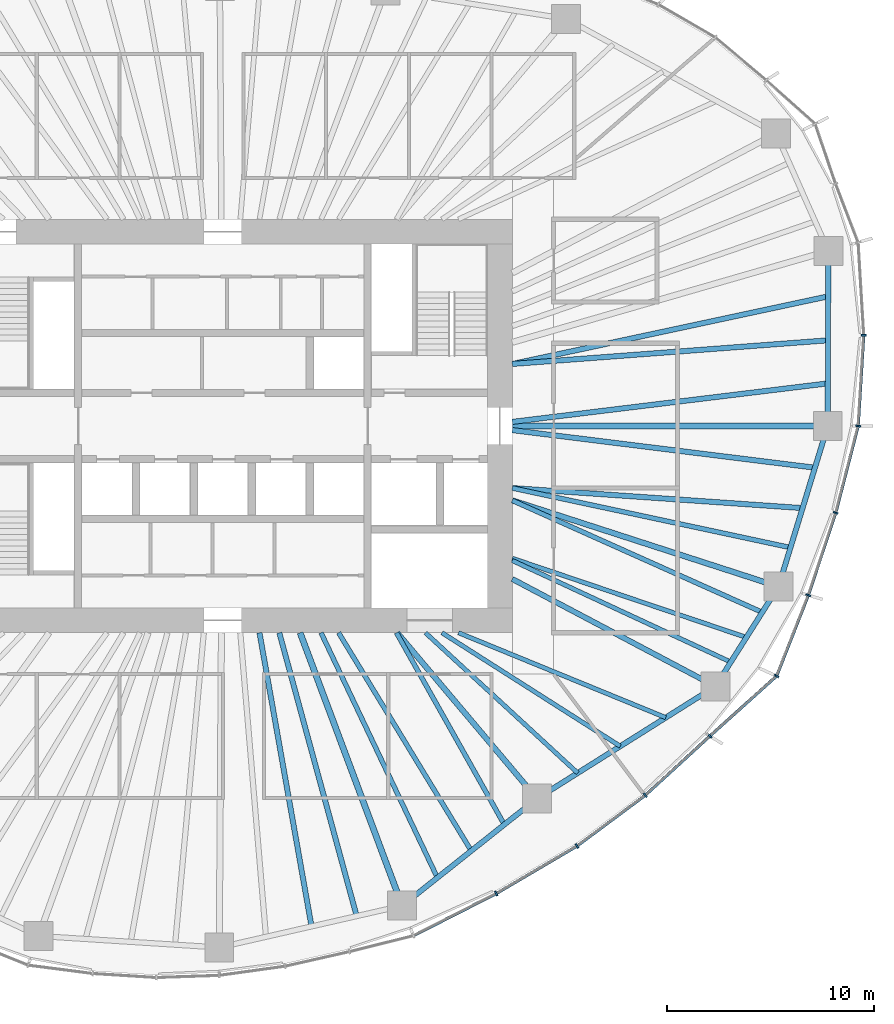
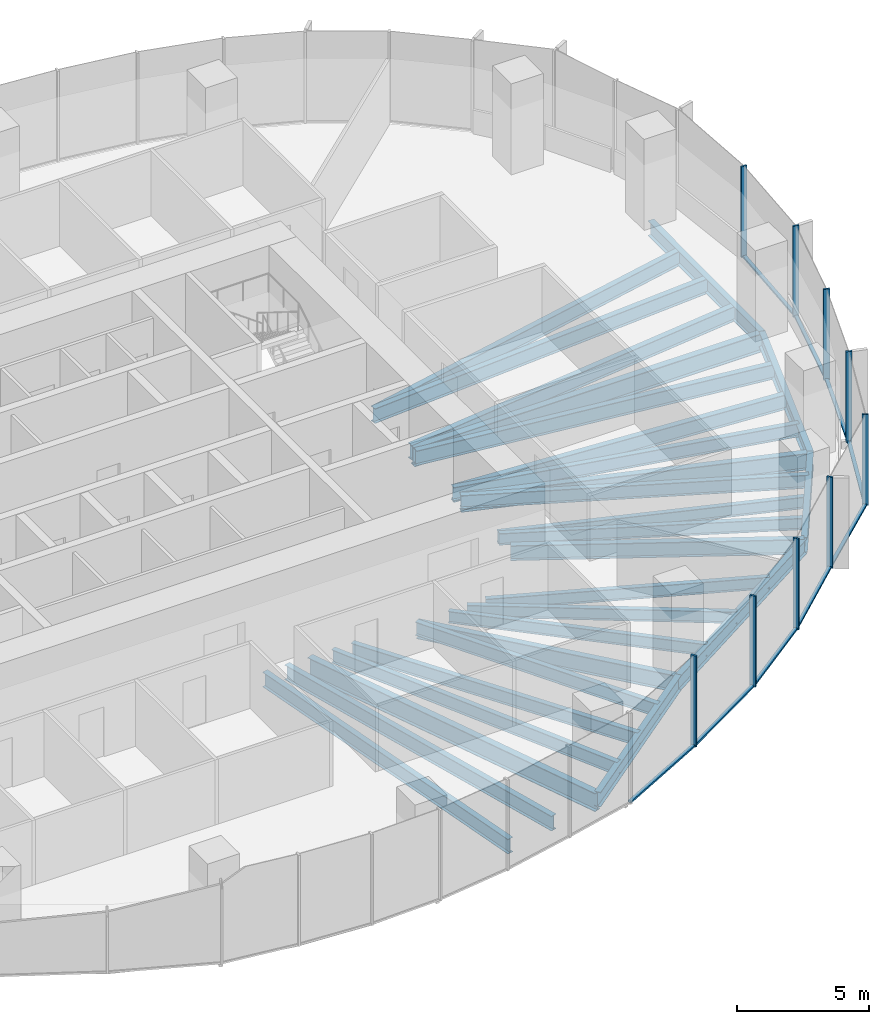
# One storey, part 4 of 18: 27 beams, 18 members, 5 elements without a shape of their own.
"""IFC4 building model written with IfcOpenShell, lengths in metres."""

from ifc_helpers import new_model, si_unit, direction, frame, origin, origin_2d, place, context, subcontext, project, spatial, rectangle, i_section, extrude, material, material_profile, profile_set, type_object, element, aggregate, save


model = new_model("IFC4")

# Units and contexts
model_context = context("Model", 3, precision=1e-05, world=origin(), true_north=direction((0.0, 1.0)))
body_context = subcontext(model_context, "Body", "Model", "MODEL_VIEW")
ifc_project = project(units=[si_unit("LENGTHUNIT", "METRE"), si_unit("AREAUNIT", "SQUARE_METRE"), si_unit("VOLUMEUNIT", "CUBIC_METRE"), si_unit("PLANEANGLEUNIT", "RADIAN"), si_unit("MASSUNIT", "GRAM", prefix="KILO")], contexts=[model_context])

# Site, building, storey
site_placement = place(None, origin())
site = spatial("IfcSite", under=ifc_project, at=site_placement, CompositionType="ELEMENT")
building_placement = place(site_placement, origin())
building = spatial("IfcBuilding", under=site, at=building_placement, Name="Ghaith Harvest Tower", CompositionType="ELEMENT")
storey_placement = place(building_placement, frame((0.0, 0.0, 172.199951171875)))
storey = spatial("IfcBuildingStorey", under=building, at=storey_placement, Name="L37", CompositionType="ELEMENT", Elevation=172.199951171875)

# Curtain wall, members
ifc_material_1 = material(Name="Black anodised aluminium and fritted glass", Category="aluminium")
curtain_wall_type = type_object("IfcCurtainWallType", Name="CW-L CURTAIN WALL", PredefinedType="NOTDEFINED", material=ifc_material_1)
curtain_wall_1_placement = place(storey_placement, origin())
curtain_wall_1 = element("IfcCurtainWall", 1, at=curtain_wall_1_placement, inside=storey, type_object=curtain_wall_type, Name="Curtain wall CW-L bay 01 L37", PredefinedType="NOTDEFINED")
ifc_material_2 = material(Name="Aluminium, black anodised", Category="aluminium")
ifc_material_profile_1 = material_profile(ifc_material_2, rectangle(XDim=0.080078125, YDim=0.239990234375, at=origin_2d()), Name="CW-L MULLION 80x240")
ifc_profile_set_1 = profile_set([ifc_material_profile_1], Name="Aluminium, black anodised")
member_type_1 = type_object("IfcMemberType", Name="CW-L MULLION 80x240", PredefinedType="MULLION", material=ifc_profile_set_1)
member_1_placement = place(storey_placement, frame((30.728759765625, 0.0, 0.0), z_axis=(0.0, 0.0, 1.0), x_axis=(0.155597142981, 0.987820595602, 0.0)))
member_1 = element("IfcMember", 2, at=member_1_placement, type_object=member_type_1, Name="CW-L mullion 1 bay 01 L37", PredefinedType="MULLION", context=body_context, shape_type="SweptSolid", body=[
    extrude(rectangle(XDim=0.080078125, YDim=0.239990234375, at=origin_2d()), origin(), (0.0, 0.0, 1.0), 4.199951171875),
])
member_2_placement = place(storey_placement, frame((30.998779296875, 4.389892578125, 0.0), z_axis=(0.0, 0.0, 1.0), x_axis=(-0.000162467394, 0.999999986802, 0.0)))
member_2 = element("IfcMember", 3, at=member_2_placement, type_object=member_type_1, Name="CW-L mullion 2 bay 01 L37", PredefinedType="MULLION", context=body_context, shape_type="SweptSolid", body=[
    extrude(rectangle(XDim=0.080078125, YDim=0.239990234375, at=origin_2d()), origin(), (0.0, 0.0, 1.0), 4.199951171875),
])

# Curtain wall, member
curtain_wall_2_placement = place(storey_placement, origin())
curtain_wall_2 = element("IfcCurtainWall", 4, at=curtain_wall_2_placement, inside=storey, type_object=curtain_wall_type, Name="Curtain wall CW-L bay 17 L37", PredefinedType="NOTDEFINED")
member_3_placement = place(storey_placement, frame((13.224365234375, -22.614013671875, 0.0), z_axis=(0.0, 0.0, 1.0), x_axis=(0.876898762173, 0.480675109507, 0.0)))
member_3 = element("IfcMember", 5, at=member_3_placement, type_object=member_type_1, Name="CW-L mullion 2 bay 17 L37", PredefinedType="MULLION", context=body_context, shape_type="SweptSolid", body=[
    extrude(rectangle(XDim=0.080078125, YDim=0.239990234375, at=origin_2d()), origin(), (0.0, 0.0, 1.0), 4.199951171875),
])

# Curtain wall, members
curtain_wall_3_placement = place(storey_placement, origin())
curtain_wall_3 = element("IfcCurtainWall", 6, at=curtain_wall_3_placement, inside=storey, type_object=curtain_wall_type, Name="Curtain wall CW-L bay 18 L37", PredefinedType="NOTDEFINED")
member_4_placement = place(storey_placement, frame((17.1318359375, -20.31591796875, 0.0), z_axis=(0.0, 0.0, 1.0), x_axis=(0.834887453241, 0.550420694035, 0.0)))
member_4 = element("IfcMember", 7, at=member_4_placement, type_object=member_type_1, Name="CW-L mullion 1 bay 18 L37", PredefinedType="MULLION", context=body_context, shape_type="SweptSolid", body=[
    extrude(rectangle(XDim=0.080078125, YDim=0.239990234375, at=origin_2d()), origin(), (0.0, 0.0, 1.0), 4.199951171875),
])
member_5_placement = place(storey_placement, frame((20.4296875, -17.86376953125, 0.0), z_axis=(0.0, 0.0, 1.0), x_axis=(0.770306399656, 0.637673937564, 0.0)))
member_5 = element("IfcMember", 8, at=member_5_placement, type_object=member_type_1, Name="CW-L mullion 2 bay 18 L37", PredefinedType="MULLION", context=body_context, shape_type="SweptSolid", body=[
    extrude(rectangle(XDim=0.080078125, YDim=0.239990234375, at=origin_2d()), origin(), (0.0, 0.0, 1.0), 4.199951171875),
])

curtain_wall_4_placement = place(storey_placement, origin())
curtain_wall_4 = element("IfcCurtainWall", 9, at=curtain_wall_4_placement, inside=storey, type_object=curtain_wall_type, Name="Curtain wall CW-L bay 19 L37", PredefinedType="NOTDEFINED")
member_6_placement = place(storey_placement, frame((23.560546875, -14.994140625, 0.0), z_axis=(0.0, 0.0, 1.0), x_axis=(0.740389054945, 0.672178582906, 0.0)))
member_6 = element("IfcMember", 10, at=member_6_placement, type_object=member_type_1, Name="CW-L mullion 1 bay 19 L37", PredefinedType="MULLION", context=body_context, shape_type="SweptSolid", body=[
    extrude(rectangle(XDim=0.080078125, YDim=0.239990234375, at=origin_2d()), origin(), (0.0, 0.0, 1.0), 4.199951171875),
])
member_7_placement = place(storey_placement, frame((26.786376953125, -12.0927734375, 0.0), z_axis=(0.0, 0.0, 1.0), x_axis=(0.572853476908, 0.819657790785, 0.0)))
member_7 = element("IfcMember", 11, at=member_7_placement, type_object=member_type_1, Name="CW-L mullion 2 bay 19 L37", PredefinedType="MULLION", context=body_context, shape_type="SweptSolid", body=[
    extrude(rectangle(XDim=0.080078125, YDim=0.239990234375, at=origin_2d()), origin(), (0.0, 0.0, 1.0), 4.199951171875),
])

curtain_wall_5_placement = place(storey_placement, origin())
curtain_wall_5 = element("IfcCurtainWall", 12, at=curtain_wall_5_placement, inside=storey, type_object=curtain_wall_type, Name="Curtain wall CW-L bay 20 L37", PredefinedType="NOTDEFINED")
member_8_placement = place(storey_placement, frame((28.319580078125, -8.184814453125, 0.0), z_axis=(0.0, 0.0, 1.0), x_axis=(0.34057402484, 0.94021770543, 0.0)))
member_8 = element("IfcMember", 13, at=member_8_placement, type_object=member_type_1, Name="CW-L mullion 1 bay 20 L37", PredefinedType="MULLION", context=body_context, shape_type="SweptSolid", body=[
    extrude(rectangle(XDim=0.080078125, YDim=0.239990234375, at=origin_2d()), origin(), (0.0, 0.0, 1.0), 4.199951171875),
])
member_9_placement = place(storey_placement, frame((29.64599609375, -4.1982421875, 0.0), z_axis=(0.0, 0.0, 1.0), x_axis=(0.282375140161, 0.959304060358, 0.0)))
member_9 = element("IfcMember", 14, at=member_9_placement, type_object=member_type_1, Name="CW-L mullion 2 bay 20 L37", PredefinedType="MULLION", context=body_context, shape_type="SweptSolid", body=[
    extrude(rectangle(XDim=0.080078125, YDim=0.239990234375, at=origin_2d()), origin(), (0.0, 0.0, 1.0), 4.199951171875),
])

# Member
ifc_material_3 = material(Name="Aluminium, black anodised", Category="aluminium")
ifc_material_profile_2 = material_profile(ifc_material_3, rectangle(XDim=0.14990234375, YDim=0.080078125, at=origin_2d()), Name="CW-L TRANSOM 150x80")
ifc_profile_set_2 = profile_set([ifc_material_profile_2], Name="Aluminium, black anodised")
member_type_2 = type_object("IfcMemberType", Name="CW-L TRANSOM 150x80", PredefinedType="USERDEFINED", material=ifc_profile_set_2)
member_10_placement = place(storey_placement, frame((30.731201171875, 0.0400390625, 0.0400390625), z_axis=(0.061403204251, 0.99811304295, 0.0), x_axis=(-0.99811304295, 0.061403204251, 0.0)))
member_10 = element("IfcMember", 15, at=member_10_placement, type_object=member_type_2, Name="CW-L transom 1 bay 01 L37", ObjectType="TRANSOM", PredefinedType="USERDEFINED", context=body_context, shape_type="SweptSolid", body=[
    extrude(rectangle(XDim=0.14990234375, YDim=0.080078125, at=origin_2d()), origin(), (0.0, 0.0, 1.0), 4.31787109375),
])

aggregate(curtain_wall_1, [member_1, member_10, member_2])

member_11_placement = place(storey_placement, frame((9.25244140625, -24.636474609375, 0.0400390625), z_axis=(0.891120044719, 0.453767634258, 0.0), x_axis=(-0.453767634258, 0.891120044719, 0.0)))
member_11 = element("IfcMember", 16, at=member_11_placement, type_object=member_type_2, Name="CW-L transom 1 bay 17 L37", ObjectType="TRANSOM", PredefinedType="USERDEFINED", context=body_context, shape_type="SweptSolid", body=[
    extrude(rectangle(XDim=0.14990234375, YDim=0.080078125, at=origin_2d()), origin(), (0.0, 0.0, 1.0), 4.417236328125),
])

member_12_placement = place(storey_placement, frame((13.259033203125, -22.59375, 0.0400390625), z_axis=(0.86196381091, 0.506969810424, 0.0), x_axis=(-0.506969810424, 0.86196381091, 0.0)))
member_12 = element("IfcMember", 17, at=member_12_placement, type_object=member_type_2, Name="CW-L transom 2 bay 17 L37", ObjectType="TRANSOM", PredefinedType="USERDEFINED", context=body_context, shape_type="SweptSolid", body=[
    extrude(rectangle(XDim=0.14990234375, YDim=0.080078125, at=origin_2d()), origin(), (0.0, 0.0, 1.0), 4.453125),
])

aggregate(curtain_wall_2, [member_11, member_3, member_12])

member_13_placement = place(storey_placement, frame((17.1640625, -20.2919921875, 0.0400390625), z_axis=(0.802465316609, 0.59669876457, 0.0), x_axis=(-0.59669876457, 0.802465316609, 0.0)))
member_13 = element("IfcMember", 18, at=member_13_placement, type_object=member_type_2, Name="CW-L transom 1 bay 18 L37", ObjectType="TRANSOM", PredefinedType="USERDEFINED", context=body_context, shape_type="SweptSolid", body=[
    extrude(rectangle(XDim=0.14990234375, YDim=0.080078125, at=origin_2d()), origin(), (0.0, 0.0, 1.0), 4.029296875),
])

member_14_placement = place(storey_placement, frame((20.459228515625, -17.836669921875, 0.0400390625), z_axis=(0.737197916434, 0.675676869521, 0.0), x_axis=(-0.675676869521, 0.737197916434, 0.0)))
member_14 = element("IfcMember", 19, at=member_14_placement, type_object=member_type_2, Name="CW-L transom 2 bay 18 L37", ObjectType="TRANSOM", PredefinedType="USERDEFINED", context=body_context, shape_type="SweptSolid", body=[
    extrude(rectangle(XDim=0.14990234375, YDim=0.080078125, at=origin_2d()), origin(), (0.0, 0.0, 1.0), 4.166748046875),
])

aggregate(curtain_wall_3, [member_4, member_13, member_5, member_14])

member_15_placement = place(storey_placement, frame((23.59033203125, -14.967529296875, 0.0400390625), z_axis=(0.74346800111, 0.668771509056, 0.0), x_axis=(-0.668771509056, 0.74346800111, 0.0)))
member_15 = element("IfcMember", 20, at=member_15_placement, type_object=member_type_2, Name="CW-L transom 1 bay 19 L37", ObjectType="TRANSOM", PredefinedType="USERDEFINED", context=body_context, shape_type="SweptSolid", body=[
    extrude(rectangle(XDim=0.14990234375, YDim=0.080078125, at=origin_2d()), origin(), (0.0, 0.0, 1.0), 4.2587890625),
])

member_16_placement = place(storey_placement, frame((26.801025390625, -12.055419921875, 0.0400390625), z_axis=(0.365228588652, 0.930917868575, 0.0), x_axis=(-0.930917868575, 0.365228588652, 0.0)))
member_16 = element("IfcMember", 21, at=member_16_placement, type_object=member_type_2, Name="CW-L transom 2 bay 19 L37", ObjectType="TRANSOM", PredefinedType="USERDEFINED", context=body_context, shape_type="SweptSolid", body=[
    extrude(rectangle(XDim=0.14990234375, YDim=0.080078125, at=origin_2d()), origin(), (0.0, 0.0, 1.0), 4.11767578125),
])

aggregate(curtain_wall_4, [member_6, member_15, member_7, member_16])

member_17_placement = place(storey_placement, frame((28.33203125, -8.14697265625, 0.0400390625), z_axis=(0.315712391444, 0.948854934059, 0.0), x_axis=(-0.948854934059, 0.315712391444, 0.0)))
member_17 = element("IfcMember", 22, at=member_17_placement, type_object=member_type_2, Name="CW-L transom 1 bay 20 L37", ObjectType="TRANSOM", PredefinedType="USERDEFINED", context=body_context, shape_type="SweptSolid", body=[
    extrude(rectangle(XDim=0.14990234375, YDim=0.080078125, at=origin_2d()), origin(), (0.0, 0.0, 1.0), 4.12158203125),
])

member_18_placement = place(storey_placement, frame((29.656005859375, -4.159423828125, 0.0400390625), z_axis=(0.249737470584, 0.968313583395, 0.0), x_axis=(-0.968313583395, 0.249737470584, 0.0)))
member_18 = element("IfcMember", 23, at=member_18_placement, type_object=member_type_2, Name="CW-L transom 2 bay 20 L37", ObjectType="TRANSOM", PredefinedType="USERDEFINED", context=body_context, shape_type="SweptSolid", body=[
    extrude(rectangle(XDim=0.14990234375, YDim=0.080078125, at=origin_2d()), origin(), (0.0, 0.0, 1.0), 4.25537109375),
])

aggregate(curtain_wall_5, [member_8, member_17, member_9, member_18])

# Beams
ifc_material_4 = material(Name="Steel ASTM A992 Grade 50", Category="steel")
ifc_material_profile_3 = material_profile(ifc_material_4, i_section(OverallWidth=0.25390625, OverallDepth=0.68408203125, WebThickness=0.012451171875, FlangeThickness=0.018798828125, at=origin_2d()), Name="W690X140")
ifc_profile_set_3 = profile_set([ifc_material_profile_3], Name="Steel ASTM A992 Grade 50")
beam_type_1 = type_object("IfcBeamType", Name="E690-140 W690X140", PredefinedType="SPANDREL", material=ifc_profile_set_3)
beam_1_placement = place(storey_placement, frame((29.259033203125, 0.0, -0.511962890625), z_axis=(0.003172847394, 0.999994966507, 0.0), x_axis=(-0.999994966507, 0.003172847394, 0.0)))
element("IfcBeam", 24, at=beam_1_placement, inside=storey, type_object=beam_type_1, Name="Edge beam E01 L37", PredefinedType="SPANDREL", context=body_context, shape_type="SweptSolid", body=[
    extrude(i_section(OverallWidth=0.25390625, OverallDepth=0.68408203125, WebThickness=0.012451171875, FlangeThickness=0.018798828125, at=origin_2d()), origin(), (0.0, 0.0, 1.0), 8.464111328125),
])
beam_2_placement = place(storey_placement, frame((8.674072265625, -23.202880859375, -0.511962890625), z_axis=(0.783159540917, 0.621820821033, 0.0), x_axis=(-0.621820821033, 0.783159540917, 0.0)))
element("IfcBeam", 25, at=beam_2_placement, inside=storey, type_object=beam_type_1, Name="Edge beam E17 L37", PredefinedType="SPANDREL", context=body_context, shape_type="SweptSolid", body=[
    extrude(i_section(OverallWidth=0.25390625, OverallDepth=0.68408203125, WebThickness=0.012451171875, FlangeThickness=0.018798828125, at=origin_2d()), origin(), (0.0, 0.0, 1.0), 8.330322265625),
])
beam_3_placement = place(storey_placement, frame((15.197998046875, -18.02294921875, -0.511962890625), z_axis=(0.846385185363, 0.532571232793, 0.0), x_axis=(-0.532571232793, 0.846385185363, 0.0)))
element("IfcBeam", 26, at=beam_3_placement, inside=storey, type_object=beam_type_1, Name="Edge beam E18 L37", PredefinedType="SPANDREL", context=body_context, shape_type="SweptSolid", body=[
    extrude(i_section(OverallWidth=0.25390625, OverallDepth=0.68408203125, WebThickness=0.012451171875, FlangeThickness=0.018798828125, at=origin_2d()), origin(), (0.0, 0.0, 1.0), 10.19384765625),
])
beam_4_placement = place(storey_placement, frame((23.825927734375, -12.593994140625, -0.511962890625), z_axis=(0.534499624093, 0.845168712059, 0.0), x_axis=(-0.845168712059, 0.534499624093, 0.0)))
element("IfcBeam", 27, at=beam_4_placement, inside=storey, type_object=beam_type_1, Name="Edge beam E19 L37", PredefinedType="SPANDREL", context=body_context, shape_type="SweptSolid", body=[
    extrude(i_section(OverallWidth=0.25390625, OverallDepth=0.68408203125, WebThickness=0.012451171875, FlangeThickness=0.018798828125, at=origin_2d()), origin(), (0.0, 0.0, 1.0), 5.7099609375),
])
beam_5_placement = place(storey_placement, frame((26.8779296875, -7.76806640625, -0.511962890625), z_axis=(0.293065809375, 0.956092271371, 0.0), x_axis=(-0.956092271371, 0.293065809375, 0.0)))
element("IfcBeam", 28, at=beam_5_placement, inside=storey, type_object=beam_type_1, Name="Edge beam E20 L37", PredefinedType="SPANDREL", context=body_context, shape_type="SweptSolid", body=[
    extrude(i_section(OverallWidth=0.25390625, OverallDepth=0.68408203125, WebThickness=0.012451171875, FlangeThickness=0.018798828125, at=origin_2d()), origin(), (0.0, 0.0, 1.0), 8.124755859375),
])
ifc_material_5 = material(Name="Steel ASTM A992 Grade 50", Category="steel")
ifc_material_profile_4 = material_profile(ifc_material_5, i_section(OverallWidth=0.256103515625, OverallDepth=0.693115234375, WebThickness=0.014404296875, FlangeThickness=0.023681640625, at=origin_2d()), Name="W690X170")
ifc_profile_set_4 = profile_set([ifc_material_profile_4], Name="Steel ASTM A992 Grade 50")
beam_type_2 = type_object("IfcBeamType", Name="G690-170 W690X170", PredefinedType="BEAM", material=ifc_profile_set_4)
beam_6_placement = place(storey_placement, frame((14.0, -7.39990234375, -0.516357421875), z_axis=(0.884080549082, -0.467334551189, 0.0), x_axis=(0.467334551189, 0.884080549082, 0.0)))
element("IfcBeam", 29, at=beam_6_placement, inside=storey, type_object=beam_type_2, Name="Radial girder G19 L37", PredefinedType="BEAM", context=body_context, shape_type="SweptSolid", body=[
    extrude(i_section(OverallWidth=0.256103515625, OverallDepth=0.693115234375, WebThickness=0.014404296875, FlangeThickness=0.023681640625, at=origin_2d()), origin(), (0.0, 0.0, 1.0), 11.1142578125),
])
ifc_material_6 = material(Name="Steel ASTM A992 Grade 50", Category="steel")
ifc_material_profile_5 = material_profile(ifc_material_6, i_section(OverallWidth=0.26806640625, OverallDepth=0.77001953125, WebThickness=0.015625, FlangeThickness=0.025390625, at=origin_2d()), Name="W760X196")
ifc_profile_set_5 = profile_set([ifc_material_profile_5], Name="Steel ASTM A992 Grade 50")
beam_type_3 = type_object("IfcBeamType", Name="G760-196 W760X196", PredefinedType="BEAM", material=ifc_profile_set_5)
beam_7_placement = place(storey_placement, frame((8.4326171875, -10.0, -0.554931640625), z_axis=(0.644649240595, -0.764478486682, 0.0), x_axis=(0.764478486682, 0.644649240595, 0.0)))
element("IfcBeam", 30, at=beam_7_placement, inside=storey, type_object=beam_type_3, Name="Radial girder G18 L37", PredefinedType="BEAM", context=body_context, shape_type="SweptSolid", body=[
    extrude(i_section(OverallWidth=0.26806640625, OverallDepth=0.77001953125, WebThickness=0.015625, FlangeThickness=0.025390625, at=origin_2d()), origin(), (0.0, 0.0, 1.0), 10.49462890625),
])
beam_8_placement = place(storey_placement, frame((14.0, -3.60009765625, -0.554931640625), z_axis=(0.951410331565, -0.307925934262, 0.0), x_axis=(0.307925934262, 0.951410331565, 0.0)))
element("IfcBeam", 31, at=beam_8_placement, inside=storey, type_object=beam_type_3, Name="Radial girder G20 L37", PredefinedType="BEAM", context=body_context, shape_type="SweptSolid", body=[
    extrude(i_section(OverallWidth=0.26806640625, OverallDepth=0.77001953125, WebThickness=0.015625, FlangeThickness=0.025390625, at=origin_2d()), origin(), (0.0, 0.0, 1.0), 13.53564453125),
])
ifc_material_7 = material(Name="Steel ASTM A992 Grade 50", Category="steel")
ifc_material_profile_6 = material_profile(ifc_material_7, i_section(OverallWidth=0.2939453125, OverallDepth=0.85107421875, WebThickness=0.01611328125, FlangeThickness=0.02685546875, at=origin_2d()), Name="W840X226")
ifc_profile_set_6 = profile_set([ifc_material_profile_6], Name="Steel ASTM A992 Grade 50")
beam_type_4 = type_object("IfcBeamType", Name="G840-226 W840X226", PredefinedType="BEAM", material=ifc_profile_set_6)
beam_9_placement = place(storey_placement, frame((14.0, 0.0, -0.595458984375), z_axis=(1.0, 0.0, 0.0), x_axis=(0.0, 1.0, 0.0)))
element("IfcBeam", 32, at=beam_9_placement, inside=storey, type_object=beam_type_4, Name="Radial girder G01 L37", PredefinedType="BEAM", context=body_context, shape_type="SweptSolid", body=[
    extrude(i_section(OverallWidth=0.2939453125, OverallDepth=0.85107421875, WebThickness=0.01611328125, FlangeThickness=0.02685546875, at=origin_2d()), origin(), (0.0, 0.0, 1.0), 15.259033203125),
])
beam_10_placement = place(storey_placement, frame((3.73828125, -10.0, -0.595458984375), z_axis=(0.350172283717, -0.936685310932, 0.0), x_axis=(0.936685310932, 0.350172283717, 0.0)))
element("IfcBeam", 33, at=beam_10_placement, inside=storey, type_object=beam_type_4, Name="Radial girder G17 L37", PredefinedType="BEAM", context=body_context, shape_type="SweptSolid", body=[
    extrude(i_section(OverallWidth=0.2939453125, OverallDepth=0.85107421875, WebThickness=0.01611328125, FlangeThickness=0.02685546875, at=origin_2d()), origin(), (0.0, 0.0, 1.0), 14.09521484375),
])
ifc_material_8 = material(Name="Steel ASTM A992 Grade 50", Category="steel")
ifc_material_profile_7 = material_profile(ifc_material_8, i_section(OverallWidth=0.2109375, OverallDepth=0.5390625, WebThickness=0.01171875, FlangeThickness=0.018798828125, at=origin_2d()), Name="W530X109")
ifc_profile_set_7 = profile_set([ifc_material_profile_7], Name="Steel ASTM A992 Grade 50")
beam_type_5 = type_object("IfcBeamType", Name="J530-109 W530X109", PredefinedType="JOIST", material=ifc_profile_set_7)
beam_11_placement = place(storey_placement, frame((9.800048828125, -10.0, -0.439453125), z_axis=(0.735441512033, -0.677588210035, 0.0), x_axis=(0.677588210035, 0.735441512033, 0.0)))
element("IfcBeam", 34, at=beam_11_placement, inside=storey, type_object=beam_type_5, Name="Joist J18.1 L37", PredefinedType="JOIST", context=body_context, shape_type="SweptSolid", body=[
    extrude(i_section(OverallWidth=0.2109375, OverallDepth=0.5390625, WebThickness=0.01171875, FlangeThickness=0.018798828125, at=origin_2d()), origin(), (0.0, 0.0, 1.0), 10.01416015625),
])
beam_12_placement = place(storey_placement, frame((10.60009765625, -10.0, -0.439453125), z_axis=(0.843584777848, -0.536996017288, 0.0), x_axis=(0.536996017288, 0.843584777848, 0.0)))
element("IfcBeam", 35, at=beam_12_placement, inside=storey, type_object=beam_type_5, Name="Joist J18.2 L37", PredefinedType="JOIST", context=body_context, shape_type="SweptSolid", body=[
    extrude(i_section(OverallWidth=0.2109375, OverallDepth=0.5390625, WebThickness=0.01171875, FlangeThickness=0.018798828125, at=origin_2d()), origin(), (0.0, 0.0, 1.0), 10.22314453125),
])
beam_13_placement = place(storey_placement, frame((11.39990234375, -10.0, -0.439453125), z_axis=(0.925406878607, -0.378975077053, 0.0), x_axis=(0.378975077053, 0.925406878607, 0.0)))
element("IfcBeam", 36, at=beam_13_placement, inside=storey, type_object=beam_type_5, Name="Joist J18.3 L37", PredefinedType="JOIST", context=body_context, shape_type="SweptSolid", body=[
    extrude(i_section(OverallWidth=0.2109375, OverallDepth=0.5390625, WebThickness=0.01171875, FlangeThickness=0.018798828125, at=origin_2d()), origin(), (0.0, 0.0, 1.0), 10.83251953125),
])
beam_14_placement = place(storey_placement, frame((14.0, -6.506103515625, -0.439453125), z_axis=(0.906863188232, -0.421425150922, 0.0), x_axis=(0.421425150922, 0.906863188232, 0.0)))
element("IfcBeam", 37, at=beam_14_placement, inside=storey, type_object=beam_type_5, Name="Joist J19.1 L37", PredefinedType="JOIST", context=body_context, shape_type="SweptSolid", body=[
    extrude(i_section(OverallWidth=0.2109375, OverallDepth=0.5390625, WebThickness=0.01171875, FlangeThickness=0.018798828125, at=origin_2d()), origin(), (0.0, 0.0, 1.0), 11.6552734375),
])
beam_15_placement = place(storey_placement, frame((14.0, -6.39990234375, -0.439453125), z_axis=(0.947372072272, -0.320134591508, 0.0), x_axis=(0.320134591508, 0.947372072272, 0.0)))
element("IfcBeam", 38, at=beam_15_placement, inside=storey, type_object=beam_type_5, Name="Joist J19.2 L37", PredefinedType="JOIST", context=body_context, shape_type="SweptSolid", body=[
    extrude(i_section(OverallWidth=0.2109375, OverallDepth=0.5390625, WebThickness=0.01171875, FlangeThickness=0.018798828125, at=origin_2d()), origin(), (0.0, 0.0, 1.0), 11.95263671875),
])
ifc_material_9 = material(Name="Steel ASTM A992 Grade 50", Category="steel")
ifc_material_profile_8 = material_profile(ifc_material_9, i_section(OverallWidth=0.22900390625, OverallDepth=0.612060546875, WebThickness=0.011962890625, FlangeThickness=0.01953125, at=origin_2d()), Name="W610X125")
ifc_profile_set_8 = profile_set([ifc_material_profile_8], Name="Steel ASTM A992 Grade 50")
beam_type_6 = type_object("IfcBeamType", Name="J610-125 W610X125", PredefinedType="JOIST", material=ifc_profile_set_8)
beam_16_placement = place(storey_placement, frame((4.75, -10.0, -0.475830078125), z_axis=(0.429062888327, -0.903274619294, 0.0), x_axis=(0.903274619294, 0.429062888327, 0.0)))
element("IfcBeam", 39, at=beam_16_placement, inside=storey, type_object=beam_type_6, Name="Joist J17.1 L37", PredefinedType="JOIST", context=body_context, shape_type="SweptSolid", body=[
    extrude(i_section(OverallWidth=0.22900390625, OverallDepth=0.612060546875, WebThickness=0.011962890625, FlangeThickness=0.01953125, at=origin_2d()), origin(), (0.0, 0.0, 1.0), 13.118408203125),
])
beam_17_placement = place(storey_placement, frame((5.60009765625, -10.0, -0.475830078125), z_axis=(0.51969412955, -0.854352393167, 0.0), x_axis=(0.854352393167, 0.51969412955, 0.0)))
element("IfcBeam", 40, at=beam_17_placement, inside=storey, type_object=beam_type_6, Name="Joist J17.2 L37", PredefinedType="JOIST", context=body_context, shape_type="SweptSolid", body=[
    extrude(i_section(OverallWidth=0.22900390625, OverallDepth=0.612060546875, WebThickness=0.011962890625, FlangeThickness=0.01953125, at=origin_2d()), origin(), (0.0, 0.0, 1.0), 12.34716796875),
])
beam_18_placement = place(storey_placement, frame((8.39990234375, -10.0, -0.475830078125), z_axis=(0.489936713337, -0.871758003648, 0.0), x_axis=(0.871758003648, 0.489936713337, 0.0)))
element("IfcBeam", 41, at=beam_18_placement, inside=storey, type_object=beam_type_6, Name="Joist J17.3 L37", PredefinedType="JOIST", context=body_context, shape_type="SweptSolid", body=[
    extrude(i_section(OverallWidth=0.22900390625, OverallDepth=0.612060546875, WebThickness=0.011962890625, FlangeThickness=0.01953125, at=origin_2d()), origin(), (0.0, 0.0, 1.0), 10.64501953125),
])
beam_19_placement = place(storey_placement, frame((14.0, -3.60009765625, -0.475830078125), z_axis=(0.912738327266, -0.408544668231, 0.0), x_axis=(0.408544668231, 0.912738327266, 0.0)))
element("IfcBeam", 42, at=beam_19_placement, inside=storey, type_object=beam_type_6, Name="Joist J19.3 L37", PredefinedType="JOIST", context=body_context, shape_type="SweptSolid", body=[
    extrude(i_section(OverallWidth=0.22900390625, OverallDepth=0.612060546875, WebThickness=0.011962890625, FlangeThickness=0.01953125, at=origin_2d()), origin(), (0.0, 0.0, 1.0), 13.247314453125),
])
beam_20_placement = place(storey_placement, frame((14.0, -3.0, -0.475830078125), z_axis=(0.97783433664, -0.209380061343, 0.0), x_axis=(0.209380061343, 0.97783433664, 0.0)))
element("IfcBeam", 43, at=beam_20_placement, inside=storey, type_object=beam_type_6, Name="Joist J20.1 L37", PredefinedType="JOIST", context=body_context, shape_type="SweptSolid", body=[
    extrude(i_section(OverallWidth=0.22900390625, OverallDepth=0.612060546875, WebThickness=0.011962890625, FlangeThickness=0.01953125, at=origin_2d()), origin(), (0.0, 0.0, 1.0), 13.76123046875),
])
ifc_material_10 = material(Name="Steel ASTM A992 Grade 50", Category="steel")
ifc_material_profile_9 = material_profile(ifc_material_10, i_section(OverallWidth=0.25390625, OverallDepth=0.68408203125, WebThickness=0.012451171875, FlangeThickness=0.018798828125, at=origin_2d()), Name="W690X140")
ifc_profile_set_9 = profile_set([ifc_material_profile_9], Name="Steel ASTM A992 Grade 50")
beam_type_7 = type_object("IfcBeamType", Name="J690-140 W690X140", PredefinedType="JOIST", material=ifc_profile_set_9)
beam_21_placement = place(storey_placement, frame((14.0, 0.199951171875, -0.511962890625), z_axis=(0.992642759881, 0.121079937462, 0.0), x_axis=(-0.121079937462, 0.992642759881, 0.0)))
element("IfcBeam", 44, at=beam_21_placement, inside=storey, type_object=beam_type_7, Name="Joist J01.1 L37", PredefinedType="JOIST", context=body_context, shape_type="SweptSolid", body=[
    extrude(i_section(OverallWidth=0.25390625, OverallDepth=0.68408203125, WebThickness=0.012451171875, FlangeThickness=0.018798828125, at=origin_2d()), origin(), (0.0, 0.0, 1.0), 15.378662109375),
])
beam_22_placement = place(storey_placement, frame((14.0, 3.0, -0.511962890625), z_axis=(0.997200052902, 0.074780040735, 0.0), x_axis=(-0.074780040735, 0.997200052902, 0.0)))
element("IfcBeam", 45, at=beam_22_placement, inside=storey, type_object=beam_type_7, Name="Joist J01.2 L37", PredefinedType="JOIST", context=body_context, shape_type="SweptSolid", body=[
    extrude(i_section(OverallWidth=0.25390625, OverallDepth=0.68408203125, WebThickness=0.012451171875, FlangeThickness=0.018798828125, at=origin_2d()), origin(), (0.0, 0.0, 1.0), 15.315185546875),
])
beam_23_placement = place(storey_placement, frame((14.0, 3.0, -0.511962890625), z_axis=(0.977833271545, 0.209385035425, 0.0), x_axis=(-0.209385035425, 0.977833271545, 0.0)))
element("IfcBeam", 46, at=beam_23_placement, inside=storey, type_object=beam_type_7, Name="Joist J01.3 L37", PredefinedType="JOIST", context=body_context, shape_type="SweptSolid", body=[
    extrude(i_section(OverallWidth=0.25390625, OverallDepth=0.68408203125, WebThickness=0.012451171875, FlangeThickness=0.018798828125, at=origin_2d()), origin(), (0.0, 0.0, 1.0), 15.62548828125),
])
beam_24_placement = place(storey_placement, frame((1.772705078125, -10.0, -0.511962890625), z_axis=(0.174552818486, -0.98464781194, 0.0), x_axis=(0.98464781194, 0.174552818486, 0.0)))
element("IfcBeam", 47, at=beam_24_placement, inside=storey, type_object=beam_type_7, Name="Joist J16.2 L37", PredefinedType="JOIST", context=body_context, shape_type="SweptSolid", body=[
    extrude(i_section(OverallWidth=0.25390625, OverallDepth=0.68408203125, WebThickness=0.012451171875, FlangeThickness=0.018798828125, at=origin_2d()), origin(), (0.0, 0.0, 1.0), 14.42578125),
])
beam_25_placement = place(storey_placement, frame((2.73095703125, -10.0, -0.511962890625), z_axis=(0.263463446032, -0.964669379946, 0.0), x_axis=(0.964669379946, 0.263463446032, 0.0)))
element("IfcBeam", 48, at=beam_25_placement, inside=storey, type_object=beam_type_7, Name="Joist J16.3 L37", PredefinedType="JOIST", context=body_context, shape_type="SweptSolid", body=[
    extrude(i_section(OverallWidth=0.25390625, OverallDepth=0.68408203125, WebThickness=0.012451171875, FlangeThickness=0.018798828125, at=origin_2d()), origin(), (0.0, 0.0, 1.0), 14.20751953125),
])
beam_26_placement = place(storey_placement, frame((14.0, -3.0, -0.511962890625), z_axis=(0.997616678907, -0.068999724397, 0.0), x_axis=(0.068999724397, 0.997616678907, 0.0)))
element("IfcBeam", 49, at=beam_26_placement, inside=storey, type_object=beam_type_7, Name="Joist J20.2 L37", PredefinedType="JOIST", context=body_context, shape_type="SweptSolid", body=[
    extrude(i_section(OverallWidth=0.25390625, OverallDepth=0.68408203125, WebThickness=0.012451171875, FlangeThickness=0.018798828125, at=origin_2d()), origin(), (0.0, 0.0, 1.0), 14.0751953125),
])
beam_27_placement = place(storey_placement, frame((14.0, -0.199951171875, -0.511962890625), z_axis=(0.992379127816, -0.123222021874, 0.0), x_axis=(0.123222021874, 0.992379127816, 0.0)))
element("IfcBeam", 50, at=beam_27_placement, inside=storey, type_object=beam_type_7, Name="Joist J20.3 L37", PredefinedType="JOIST", context=body_context, shape_type="SweptSolid", body=[
    extrude(i_section(OverallWidth=0.25390625, OverallDepth=0.68408203125, WebThickness=0.012451171875, FlangeThickness=0.018798828125, at=origin_2d()), origin(), (0.0, 0.0, 1.0), 14.7529296875),
])

save(model, "model.ifc")
